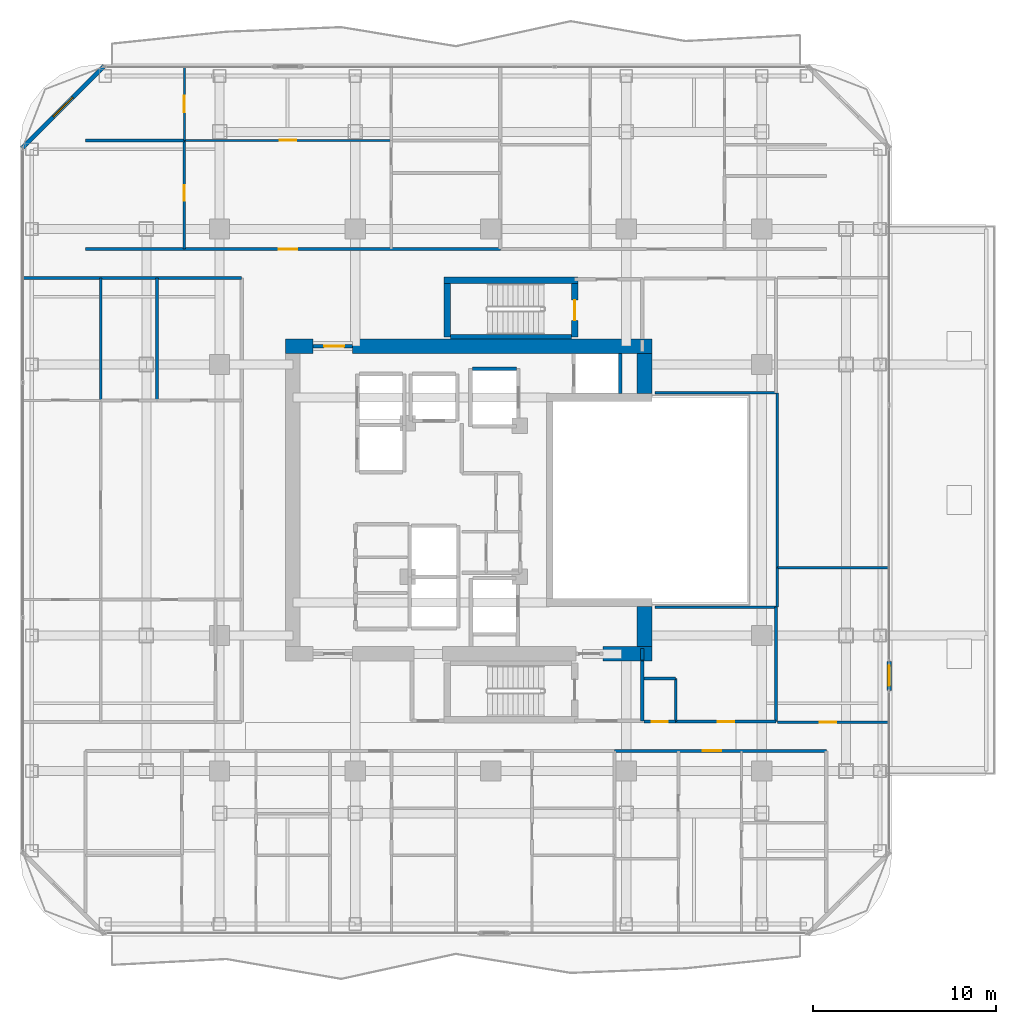
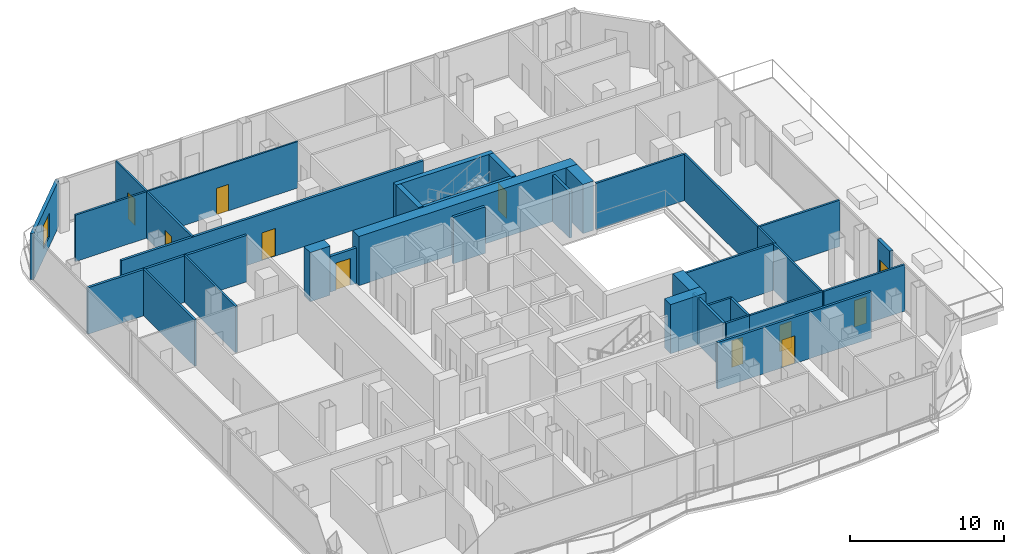
# One storey, part 22 of 27: 36 walls, 11 doors, 1 window, 12 openings.
"""IFC4 building model written with IfcOpenShell, lengths in metres."""

import ifcopenshell
import ifcopenshell.guid

model = None  # the IFC model being written
_history = None  # IfcOwnerHistory: only IFC2X3 demands one
_inside = {}  # id of a spatial element -> (the spatial element, [elements in it])
_under = {}  # id of a project, library or spatial element -> (it, [spatial elements below it])
_declared = {}  # id of a project -> (the project, [libraries it declares])
_typed = {}  # id of a type object -> (the type object, [elements of that type])
_made_of = {}  # id of a material, layer set ... -> (it, [elements and type objects made of it])


def new_model(schema):
    """Start an empty IFC model of exactly this schema.

    Asked for "IFC4X3", IfcOpenShell would pick the latest addendum, in which some entities
    have other attributes; the version numbers below select the first issue.
    IFC2X3 requires an IfcOwnerHistory on every rooted entity: one is made here for all.
    """
    global model, _history
    if schema == "IFC4X3":
        model = ifcopenshell.file(schema_version=(4, 3, 0, 0))
    else:
        model = ifcopenshell.file(schema=schema)
    _inside.clear()
    _under.clear()
    _declared.clear()
    _typed.clear()
    _made_of.clear()
    _history = None
    if model.schema == "IFC2X3":
        org = make("IfcOrganization", Name="unknown")
        user = make(
            "IfcPersonAndOrganization",
            ThePerson=make("IfcPerson", FamilyName="unknown"),
            TheOrganization=org,
        )
        app = make(
            "IfcApplication",
            ApplicationDeveloper=org,
            Version="unknown",
            ApplicationFullName="unknown",
            ApplicationIdentifier="unknown",
        )
        _history = make(
            "IfcOwnerHistory",
            OwningUser=user,
            OwningApplication=app,
            ChangeAction="ADDED",
            CreationDate=0,
        )
    return model


def make(cls, **values):
    """One entity of the class cls with the attributes given. An attribute that is None is left unset."""
    return model.create_entity(
        cls, **{name: value for name, value in values.items() if value is not None}
    )


def rooted(cls, **values):
    """An entity with a GlobalId (a new one), such as an element, a storey or a relation."""
    return make(cls, GlobalId=ifcopenshell.guid.new(), OwnerHistory=_history, **values)


def si_unit(unit_type, name, prefix=None):
    """IfcSIUnit, for example si_unit("LENGTHUNIT", "METRE", prefix="MILLI")."""
    return make("IfcSIUnit", UnitType=unit_type, Prefix=prefix, Name=name)


def assignment(units):
    """IfcUnitAssignment: the units of a project."""
    return None if units is None else make("IfcUnitAssignment", Units=units)


def point(xyz):
    """IfcCartesianPoint."""
    return None if xyz is None else make("IfcCartesianPoint", Coordinates=xyz)


def direction(xyz):
    """IfcDirection."""
    return None if xyz is None else make("IfcDirection", DirectionRatios=xyz)


def frame(location, z_axis=None, x_axis=None):
    """IfcAxis2Placement3D, a coordinate frame: its origin and axes. An axis left out is left unset."""
    return make(
        "IfcAxis2Placement3D",
        Location=point(location),
        Axis=direction(z_axis),
        RefDirection=direction(x_axis),
    )


def frame_2d(location, x_axis=None):
    """IfcAxis2Placement2D, a coordinate frame in the plane: its origin and x axis."""
    return make(
        "IfcAxis2Placement2D", Location=point(location), RefDirection=direction(x_axis)
    )


def origin():
    """The frame at (0, 0, 0) with its axes left unset."""
    return frame((0.0, 0.0, 0.0))


def place(relative_to, where):
    """IfcLocalPlacement: puts the frame where relative to a parent placement (None: the world)."""
    return make(
        "IfcLocalPlacement", PlacementRelTo=relative_to, RelativePlacement=where
    )


def context(
    kind, dimensions, precision=None, world=None, true_north=None, identifier=None
):
    """IfcGeometricRepresentationContext, for example the 3D "Model" context."""
    return make(
        "IfcGeometricRepresentationContext",
        ContextIdentifier=identifier,
        ContextType=kind,
        CoordinateSpaceDimension=dimensions,
        Precision=precision,
        WorldCoordinateSystem=world,
        TrueNorth=true_north,
    )


def subcontext(parent, identifier, kind, view, scale=None):
    """IfcGeometricRepresentationSubContext, for example "Body" below "Model"."""
    return make(
        "IfcGeometricRepresentationSubContext",
        ContextIdentifier=identifier,
        ContextType=kind,
        ParentContext=parent,
        TargetScale=scale,
        TargetView=view,
    )


def project(units=None, contexts=None):
    """IfcProject with its units and contexts."""
    return rooted(
        "IfcProject",
        Name="project",
        RepresentationContexts=contexts,
        UnitsInContext=assignment(units),
    )


def spatial(cls, under=None, at=None, **own):
    """A site, building, storey or space (cls), placed at a placement, below another one or the project."""
    s = rooted(cls, ObjectPlacement=at, **own)
    if under is not None:
        _under.setdefault(under.id(), (under, []))[1].append(s)
    return s


def profile(cls, at=None, kind="AREA", **sizes):
    """A parametric profile (cls). Its sizes go by their IFC names, for example OverallWidth=200.0."""
    return make(cls, ProfileType=kind, Position=at, **sizes)


def rectangle(**sizes):
    """IfcRectangleProfileDef."""
    return profile("IfcRectangleProfileDef", **sizes)


def extrude(swept, where, along, depth):
    """IfcExtrudedAreaSolid: the profile swept, set in the frame where, extruded along a direction by depth."""
    return make(
        "IfcExtrudedAreaSolid",
        SweptArea=swept,
        Position=where,
        ExtrudedDirection=direction(along),
        Depth=depth,
    )


def shape(context_of_items, identifier, shape_type, items):
    """IfcShapeRepresentation: the items that make up one representation, for example the "Body"."""
    return make(
        "IfcShapeRepresentation",
        ContextOfItems=context_of_items,
        RepresentationIdentifier=identifier,
        RepresentationType=shape_type,
        Items=items,
    )


def material(Name=None, Category=None):
    """IfcMaterial."""
    return make("IfcMaterial", Name=Name, Category=Category)


def layer(
    of_material, thickness, ventilated=None, Name=None, Category=None, Priority=None
):
    """IfcMaterialLayer: one layer of a wall or slab, of a material (None: an air gap)."""
    return make(
        "IfcMaterialLayer",
        Material=of_material,
        LayerThickness=thickness,
        IsVentilated=ventilated,
        Name=Name,
        Category=Category,
        Priority=Priority,
    )


def layer_set(layers, Name=None):
    """IfcMaterialLayerSet."""
    return make("IfcMaterialLayerSet", MaterialLayers=layers, LayerSetName=Name)


def made_of(thing, what):
    """Note that an element or type object is made of a material, layer set ...; save() writes the relation."""
    if what is not None:
        _made_of.setdefault(what.id(), (what, []))[1].append(thing)
    return thing


def type_object(cls, material=None, **own):
    """A type object (cls), such as IfcWallType, which elements share."""
    return made_of(rooted(cls, **own), material)


def element(
    cls,
    number,
    at=None,
    inside=None,
    cuts=None,
    type_object=None,
    material=None,
    context=None,
    identifier="Body",
    shape_type=None,
    held_by="IfcProductDefinitionShape",
    body=None,
    shapes=None,
    **own,
):
    """One element of the class cls, such as IfcWall. Its Tag is "e" and its number.

    at: its placement. inside: the storey or other place that contains it. cuts: it is an
    opening in that element (IfcRelVoidsElement). A single representation is given by context,
    identifier, shape_type and body (its items); several are given by shapes. held_by: the class
    of the entity that holds the representations. save() writes the other relations.
    """
    e = rooted(cls, Tag="e%d" % number, ObjectPlacement=at, **own)
    if body is not None:
        shapes = [shape(context, identifier, shape_type, body)]
    if shapes is not None:
        e.Representation = make(held_by, Representations=shapes)
    if inside is not None:
        _inside.setdefault(inside.id(), (inside, []))[1].append(e)
    if cuts is not None:
        rooted(
            "IfcRelVoidsElement", RelatingBuildingElement=cuts, RelatedOpeningElement=e
        )
    if type_object is not None:
        _typed.setdefault(type_object.id(), (type_object, []))[1].append(e)
    return made_of(e, material)


def fill(opening, filler):
    """IfcRelFillsElement: the door or window that sits in an opening."""
    return rooted(
        "IfcRelFillsElement",
        RelatingOpeningElement=opening,
        RelatedBuildingElement=filler,
    )


def aggregate(whole, parts):
    """IfcRelAggregates: a whole, such as a stair, and the parts it consists of."""
    return rooted("IfcRelAggregates", RelatingObject=whole, RelatedObjects=parts)


def save(model, path):
    """Write the relations noted so far, then the file.

    IfcRelAggregates (storeys below a building ...), IfcRelContainedInSpatialStructure (elements
    in a storey), IfcRelDefinesByType, IfcRelAssociatesMaterial and IfcRelDeclares: one each for
    every whole, place, type object, material and project.
    """
    for whole, parts in _under.values():
        aggregate(whole, parts)
    for where, things in _inside.values():
        rooted(
            "IfcRelContainedInSpatialStructure",
            RelatedElements=things,
            RelatingStructure=where,
        )
    for kind, things in _typed.values():
        rooted("IfcRelDefinesByType", RelatedObjects=things, RelatingType=kind)
    for what, things in _made_of.values():
        rooted("IfcRelAssociatesMaterial", RelatedObjects=things, RelatingMaterial=what)
    for by, libraries in _declared.values():
        rooted("IfcRelDeclares", RelatingContext=by, RelatedDefinitions=libraries)
    model.write(path)


model = new_model("IFC4")

# Units and contexts
model_context = context("Model", 3, precision=1e-05, world=origin(), true_north=direction((0.0, 1.0)))
body_context = subcontext(model_context, "Body", "Model", "MODEL_VIEW")
ifc_project = project(units=[si_unit("LENGTHUNIT", "METRE"), si_unit("AREAUNIT", "SQUARE_METRE"), si_unit("VOLUMEUNIT", "CUBIC_METRE"), si_unit("PLANEANGLEUNIT", "RADIAN"), si_unit("MASSUNIT", "GRAM", prefix="KILO")], contexts=[model_context])

# Site, building, storey
site_placement = place(None, origin())
site = spatial("IfcSite", under=ifc_project, at=site_placement, CompositionType="ELEMENT")
building_placement = place(site_placement, origin())
building = spatial("IfcBuilding", under=site, at=building_placement, Name="Khorvyn Point Tower", CompositionType="ELEMENT")
storey_placement = place(building_placement, frame((0.0, 0.0, 168.0)))
storey = spatial("IfcBuildingStorey", under=building, at=storey_placement, Name="L41", CompositionType="ELEMENT", Elevation=168.0)

# Wall, opening, door
ifc_material_1 = material(Name="Double acoustic gypsum on twin steel stud", Category="steel")
ifc_layer_1 = layer(ifc_material_1, 0.179931640625)
ifc_layer_set_1 = layer_set([ifc_layer_1], Name="Acoustic Double-Stud Apartment Demising Wall 180")
wall_type_1 = type_object("IfcWallType", Name="Acoustic Double-Stud Apartment Demising Wall 180", PredefinedType="PARTITIONING", material=ifc_layer_set_1)
wall_1_placement = place(storey_placement, frame((-22.1201171875, 13.699951171875, 0.0), z_axis=(0.0, 0.0, 1.0), x_axis=(1.0, 0.0, 0.0)))
wall_1 = element("IfcWall", 1, at=wall_1_placement, inside=storey, type_object=wall_type_1, Name="Wall", PredefinedType="PARTITIONING", context=body_context, shape_type="SweptSolid", body=[
    extrude(rectangle(XDim=22.64599609375, YDim=0.179931640625, at=frame_2d((11.322998046875, 0.0))), origin(), (0.0, 0.0, 1.0), 3.679931640625),
])
opening_1_placement = place(wall_1_placement, frame((10.55419921875, 0.0, 0.0)))
opening_1 = element("IfcOpeningElement", 2, at=opening_1_placement, cuts=wall_1, Name="Opening ID-AP60", PredefinedType="OPENING", context=body_context, shape_type="SweptSolid", body=[
    extrude(rectangle(XDim=1.0, YDim=2.199951171875, at=frame_2d((0.5, 1.10009765625))), frame((0.0, 0.099853515625, 0.0), z_axis=(0.0, -1.0, 0.0), x_axis=(1.0, 0.0, 0.0)), (0.0, 0.0, 1.0), 0.199951171875),
])
ifc_material_2 = material(Name="Engineered hardwood fire-rated leaf", Category="wood")
door_type_1 = type_object("IfcDoorType", Name="Acoustic Solid-Core Timber Apartment Entrance Door 1000x2200", OperationType="NOTDEFINED", PredefinedType="DOOR", material=ifc_material_2)
door_1_placement = place(opening_1_placement, origin())
door_1 = element("IfcDoor", 3, at=door_1_placement, inside=storey, type_object=door_type_1, Name="Door", OperationType="SINGLE_SWING_LEFT", OverallHeight=2.199951171875, OverallWidth=1.0, PredefinedType="DOOR", context=body_context, shape_type="SweptSolid", body=[
    extrude(rectangle(XDim=1.0, YDim=2.199951171875, at=frame_2d((0.5, 1.10009765625))), frame((0.0, 0.02490234375, 0.0), z_axis=(0.0, -1.0, 0.0), x_axis=(1.0, 0.0, 0.0)), (0.0, 0.0, 1.0), 0.050048828125),
])
fill(opening_1, door_1)

wall_2_placement = place(storey_placement, frame((6.75390625, -13.699951171875, 0.0), z_axis=(0.0, 0.0, 1.0), x_axis=(1.0, 0.0, 0.0)))
wall_2 = element("IfcWall", 4, at=wall_2_placement, inside=storey, type_object=wall_type_1, Name="Wall", PredefinedType="PARTITIONING", context=body_context, shape_type="SweptSolid", body=[
    extrude(rectangle(XDim=11.566162109375, YDim=0.179931640625, at=frame_2d((5.783203125, 0.0))), origin(), (0.0, 0.0, 1.0), 3.679931640625),
])
opening_2_placement = place(wall_2_placement, frame((4.83349609375, 0.0, 0.0)))
opening_2 = element("IfcOpeningElement", 5, at=opening_2_placement, cuts=wall_2, Name="Opening ID-AP60", PredefinedType="OPENING", context=body_context, shape_type="SweptSolid", body=[
    extrude(rectangle(XDim=1.0, YDim=2.199951171875, at=frame_2d((0.5, 1.10009765625))), frame((0.0, 0.099853515625, 0.0), z_axis=(0.0, -1.0, 0.0), x_axis=(1.0, 0.0, 0.0)), (0.0, 0.0, 1.0), 0.199951171875),
])
door_2_placement = place(opening_2_placement, origin())
door_2 = element("IfcDoor", 6, at=door_2_placement, inside=storey, type_object=door_type_1, Name="Door", OperationType="SINGLE_SWING_RIGHT", OverallHeight=2.199951171875, OverallWidth=1.0, PredefinedType="DOOR", context=body_context, shape_type="SweptSolid", body=[
    extrude(rectangle(XDim=1.0, YDim=2.199951171875, at=frame_2d((0.5, 1.10009765625))), frame((0.0, 0.02490234375, 0.0), z_axis=(0.0, -1.0, 0.0), x_axis=(1.0, 0.0, 0.0)), (0.0, 0.0, 1.0), 0.050048828125),
])
fill(opening_2, door_2)

# Wall
wall_3_placement = place(storey_placement, frame((-25.530029296875, 12.1201171875, 0.0), z_axis=(0.0, 0.0, 1.0), x_axis=(1.0, 0.0, 0.0)))
element("IfcWall", 7, at=wall_3_placement, inside=storey, type_object=wall_type_1, Name="Wall", PredefinedType="PARTITIONING", context=body_context, shape_type="SweptSolid", body=[
    extrude(rectangle(XDim=11.929931640625, YDim=0.179931640625, at=frame_2d((5.96484375, 0.0))), origin(), (0.0, 0.0, 1.0), 3.679931640625),
])

# Wall, opening, door
ifc_material_3 = material(Name="Pale anodised aluminium rainscreen on steel stud", Category="steel")
ifc_layer_2 = layer(ifc_material_3, 0.239990234375)
ifc_layer_set_2 = layer_set([ifc_layer_2], Name="Anodised Aluminium Insulated Corner Spandrel Wall 240")
wall_type_2 = type_object("IfcWallType", Name="Anodised Aluminium Insulated Corner Spandrel Wall 240", PredefinedType="SOLIDWALL", material=ifc_layer_set_2)
wall_4_placement = place(storey_placement, frame((21.75, -8.81494140625, 0.0), z_axis=(0.0, 0.0, 1.0), x_axis=(0.0, -1.0, 0.0)))
wall_4 = element("IfcWall", 8, at=wall_4_placement, inside=storey, type_object=wall_type_2, Name="L41 East Outdoor Threshold Wall", PredefinedType="SOLIDWALL", context=body_context, shape_type="SweptSolid", body=[
    extrude(rectangle(XDim=1.580078125, YDim=0.239990234375, at=frame_2d((0.7900390625, 0.0))), origin(), (0.0, 0.0, 1.0), 3.679931640625),
])
opening_3_placement = place(wall_4_placement, frame((0.239990234375, 0.0, 0.0)))
opening_3 = element("IfcOpeningElement", 9, at=opening_3_placement, cuts=wall_4, Name="Opening BD-1122", PredefinedType="OPENING", context=body_context, shape_type="SweptSolid", body=[
    extrude(rectangle(XDim=1.10009765625, YDim=2.199951171875, at=frame_2d((0.550048828125, 1.10009765625))), frame((0.0, 0.1298828125, 0.0), z_axis=(0.0, -1.0, 0.0), x_axis=(1.0, 0.0, 0.0)), (0.0, 0.0, 1.0), 0.260009765625),
])
ifc_material_4 = material(Name="Anodised aluminium 6063-T6 and laminated Low-E glass", Category="aluminium")
door_type_2 = type_object("IfcDoorType", Name="Glazed Balcony and Terrace Threshold Door 1100x2200", OperationType="NOTDEFINED", PredefinedType="DOOR", material=ifc_material_4)
door_3_placement = place(opening_3_placement, origin())
door_3 = element("IfcDoor", 10, at=door_3_placement, inside=storey, type_object=door_type_2, Name="L41 East Terrace Outdoor Door", OperationType="SINGLE_SWING_RIGHT", OverallHeight=2.199951171875, OverallWidth=1.10009765625, PredefinedType="DOOR", context=body_context, shape_type="SweptSolid", body=[
    extrude(rectangle(XDim=1.10009765625, YDim=2.199951171875, at=frame_2d((0.550048828125, 1.10009765625))), frame((0.0, 0.02490234375, 0.0), z_axis=(0.0, -1.0, 0.0), x_axis=(1.0, 0.0, 0.0)), (0.0, 0.0, 1.0), 0.050048828125),
])
fill(opening_3, door_3)

# Wall, opening, window
wall_5_placement = place(storey_placement, frame((-25.59228515625, 19.20751953125, 0.0), z_axis=(0.0, 0.0, 1.0), x_axis=(0.707087534163, 0.707126027686, 0.0)))
wall_5 = element("IfcWall", 11, at=wall_5_placement, inside=storey, type_object=wall_type_2, Name="L41 Rounded Corner Wall NW", PredefinedType="SOLIDWALL", context=body_context, shape_type="SweptSolid", body=[
    extrude(rectangle(XDim=6.34228515625, YDim=0.239990234375, at=frame_2d((3.171142578125, 0.0))), origin(), (0.0, 0.0, 1.0), 3.679931640625),
])
opening_4_placement = place(wall_5_placement, frame((2.42138671875, 0.0, 0.800048828125)))
opening_4 = element("IfcOpeningElement", 12, at=opening_4_placement, cuts=wall_5, Name="Opening WN-1518", PredefinedType="OPENING", context=body_context, shape_type="SweptSolid", body=[
    extrude(rectangle(XDim=1.5, YDim=1.85009765625, at=frame_2d((0.75, 0.925048828125))), frame((0.0, 0.1298828125, 0.0), z_axis=(0.0, -1.0, 0.0), x_axis=(1.0, 0.0, 0.0)), (0.0, 0.0, 1.0), 0.260009765625),
])
window_type = type_object("IfcWindowType", Name="Anodised Aluminium Rounded-Corner Panoramic Window 1500x1850", PartitioningType="SINGLE_PANEL", PredefinedType="WINDOW", material=ifc_material_4)
window_placement = place(opening_4_placement, origin())
window = element("IfcWindow", 13, at=window_placement, inside=storey, type_object=window_type, Name="L41 Corner Panoramic Window NW", OverallHeight=1.85009765625, OverallWidth=1.5, PartitioningType="SINGLE_PANEL", PredefinedType="WINDOW", context=body_context, shape_type="SweptSolid", body=[
    extrude(rectangle(XDim=1.5, YDim=1.85009765625, at=frame_2d((0.75, 0.925048828125))), frame((0.0, 0.030029296875, 0.0), z_axis=(0.0, -1.0, 0.0), x_axis=(1.0, 0.0, 0.0)), (0.0, 0.0, 1.0), 0.06005859375),
])
fill(opening_4, window)

# Wall, opening, door
ifc_material_5 = material(Name="Concrete C40/50", Category="concrete")
ifc_layer_3 = layer(ifc_material_5, 0.199951171875)
ifc_layer_set_3 = layer_set([ifc_layer_3], Name="Concrete C40/50 Fire-Lobby Compartment Wall 200")
wall_type_3 = type_object("IfcWallType", Name="Concrete C40/50 Fire-Lobby Compartment Wall 200", PredefinedType="SOLIDWALL", material=ifc_layer_set_3)
wall_6_placement = place(storey_placement, frame((-9.699951171875, 8.39990234375, 0.0), z_axis=(0.0, 0.0, 1.0), x_axis=(1.0, 0.0, 0.0)))
wall_6 = element("IfcWall", 14, at=wall_6_placement, inside=storey, type_object=wall_type_3, Name="Wall", PredefinedType="SOLIDWALL", context=body_context, shape_type="SweptSolid", body=[
    extrude(rectangle(XDim=2.14990234375, YDim=0.199951171875, at=frame_2d((1.074951171875, 0.0))), origin(), (0.0, 0.0, 1.0), 2.820068359375),
])
opening_5_placement = place(wall_6_placement, frame((0.597900390625, 0.0, 0.0)))
opening_5 = element("IfcOpeningElement", 15, at=opening_5_placement, cuts=wall_6, Name="Opening ID-FL90", PredefinedType="OPENING", context=body_context, shape_type="SweptSolid", body=[
    extrude(rectangle(XDim=1.10009765625, YDim=2.14990234375, at=frame_2d((0.550048828125, 1.074951171875))), frame((0.0, 0.10986328125, 0.0), z_axis=(0.0, -1.0, 0.0), x_axis=(1.0, 0.0, 0.0)), (0.0, 0.0, 1.0), 0.219970703125),
])
ifc_material_6 = material(Name="Galvanised powder-coated steel", Category="steel")
door_type_3 = type_object("IfcDoorType", Name="Fire-Rated Steel Lobby and Stair Door 1100x2150", OperationType="NOTDEFINED", PredefinedType="DOOR", material=ifc_material_6)
door_4_placement = place(opening_5_placement, origin())
door_4 = element("IfcDoor", 16, at=door_4_placement, inside=storey, type_object=door_type_3, Name="Door", OperationType="SINGLE_SWING_LEFT", OverallHeight=2.14990234375, OverallWidth=1.10009765625, PredefinedType="DOOR", context=body_context, shape_type="SweptSolid", body=[
    extrude(rectangle(XDim=1.10009765625, YDim=2.14990234375, at=frame_2d((0.550048828125, 1.074951171875))), frame((0.0, 0.02490234375, 0.0), z_axis=(0.0, -1.0, 0.0), x_axis=(1.0, 0.0, 0.0)), (0.0, 0.0, 1.0), 0.050048828125),
])
fill(opening_5, door_4)

# Walls
wall_7_placement = place(storey_placement, frame((8.280029296875, -12.06005859375, 0.0), z_axis=(0.0, 0.0, 1.0), x_axis=(0.0, 1.0, 0.0)))
element("IfcWall", 17, at=wall_7_placement, inside=storey, type_object=wall_type_3, Name="Wall", PredefinedType="SOLIDWALL", context=body_context, shape_type="SweptSolid", body=[
    extrude(rectangle(XDim=3.260009765625, YDim=0.199951171875, at=frame_2d((1.6298828125, 0.0))), origin(), (0.0, 0.0, 1.0), 3.679931640625),
])
wall_8_placement = place(storey_placement, frame((8.280029296875, -8.72509765625, 0.0), z_axis=(0.0, 0.0, 1.0), x_axis=(0.0, 1.0, 0.0)))
element("IfcWall", 18, at=wall_8_placement, inside=storey, type_object=wall_type_3, Name="Wall", PredefinedType="SOLIDWALL", context=body_context, shape_type="SweptSolid", body=[
    extrude(rectangle(XDim=0.625, YDim=0.199951171875, at=frame_2d((0.3125, 0.0))), origin(), (0.0, 0.0, 1.0), 3.679931640625),
])
ifc_layer_4 = layer(ifc_material_5, 0.25)
ifc_layer_set_4 = layer_set([ifc_layer_4], Name="Concrete C40/50 Stair Inner Cheek Structural Wall 250")
wall_type_4 = type_object("IfcWallType", Name="Concrete C40/50 Stair Inner Cheek Structural Wall 250", PredefinedType="SHEAR", material=ifc_layer_set_4)
wall_9_placement = place(storey_placement, frame((-2.199951171875, 8.91259765625, 0.0), z_axis=(0.0, 0.0, 1.0), x_axis=(1.0, 0.0, 0.0)))
element("IfcWall", 19, at=wall_9_placement, inside=storey, type_object=wall_type_4, Name="Wall", PredefinedType="SHEAR", context=body_context, shape_type="SweptSolid", body=[
    extrude(rectangle(XDim=6.599853515625, YDim=0.22509765625, at=frame_2d((3.2998046875, 0.0))), origin(), (0.0, 0.0, 1.0), 3.89990234375),
])
ifc_layer_5 = layer(ifc_material_5, 0.35009765625)
ifc_layer_set_5 = layer_set([ifc_layer_5], Name="Concrete C40/50 Stair Shaft Structural Wall 350")
wall_type_5 = type_object("IfcWallType", Name="Concrete C40/50 Stair Shaft Structural Wall 350", PredefinedType="SHEAR", material=ifc_layer_set_5)
wall_10_placement = place(storey_placement, frame((-2.554931640625, 12.0, 0.0), z_axis=(0.0, 0.0, 1.0), x_axis=(1.0, 0.0, 0.0)))
element("IfcWall", 20, at=wall_10_placement, inside=storey, type_object=wall_type_5, Name="L41 ST-02 North Shaft Wall", PredefinedType="SHEAR", context=body_context, shape_type="SweptSolid", body=[
    extrude(rectangle(XDim=7.309814453125, YDim=0.35009765625, at=frame_2d((3.65478515625, 0.0))), origin(), (0.0, 0.0, 1.0), 3.89990234375),
])
wall_11_placement = place(storey_placement, frame((-2.3798828125, 8.89990234375, 0.0), z_axis=(0.0, 0.0, 1.0), x_axis=(0.0, 1.0, 0.0)))
element("IfcWall", 21, at=wall_11_placement, inside=storey, type_object=wall_type_5, Name="L41 ST-02 West Shaft Wall", PredefinedType="SHEAR", context=body_context, shape_type="SweptSolid", body=[
    extrude(rectangle(XDim=2.925048828125, YDim=0.35009765625, at=frame_2d((1.46240234375, 0.0))), origin(), (0.0, 0.0, 1.0), 3.89990234375),
])

# Wall, opening, door
wall_12_placement = place(storey_placement, frame((4.580078125, 11.824951171875, 0.0), z_axis=(0.0, 0.0, 1.0), x_axis=(0.0, -1.0, 0.0)))
wall_12 = element("IfcWall", 22, at=wall_12_placement, inside=storey, type_object=wall_type_5, Name="L41 ST-02 East Landing Door Wall", PredefinedType="SHEAR", context=body_context, shape_type="SweptSolid", body=[
    extrude(rectangle(XDim=2.925048828125, YDim=0.35009765625, at=frame_2d((1.46240234375, 0.0))), origin(), (0.0, 0.0, 1.0), 3.89990234375),
])
opening_6_placement = place(wall_12_placement, frame((0.91259765625, 0.0, 0.0)))
opening_6 = element("IfcOpeningElement", 23, at=opening_6_placement, cuts=wall_12, Name="Opening ID-FL90", PredefinedType="OPENING", context=body_context, shape_type="SweptSolid", body=[
    extrude(rectangle(XDim=1.10009765625, YDim=2.14990234375, at=frame_2d((0.550048828125, 1.074951171875))), frame((0.0, 0.18505859375, 0.0), z_axis=(0.0, -1.0, 0.0), x_axis=(1.0, 0.0, 0.0)), (0.0, 0.0, 1.0), 0.3701171875),
])
door_5_placement = place(opening_6_placement, origin())
door_5 = element("IfcDoor", 24, at=door_5_placement, inside=storey, type_object=door_type_3, Name="L41 ST-02 Smokeproof Landing Door", OperationType="SINGLE_SWING_RIGHT", OverallHeight=2.14990234375, OverallWidth=1.10009765625, PredefinedType="DOOR", context=body_context, shape_type="SweptSolid", body=[
    extrude(rectangle(XDim=1.10009765625, YDim=2.14990234375, at=frame_2d((0.550048828125, 1.074951171875))), frame((0.0, 0.02490234375, 0.0), z_axis=(0.0, -1.0, 0.0), x_axis=(1.0, 0.0, 0.0)), (0.0, 0.0, 1.0), 0.050048828125),
])
fill(opening_6, door_5)

# Walls
ifc_layer_6 = layer(ifc_material_5, 0.199951171875)
ifc_layer_set_6 = layer_set([ifc_layer_6], Name="Concrete C40/50 Structural Hoistway and Stair Shaft Wall 200")
wall_type_6 = type_object("IfcWallType", Name="Concrete C40/50 Structural Hoistway and Stair Shaft Wall 200", PredefinedType="SHEAR", material=ifc_layer_set_6)
wall_13_placement = place(storey_placement, frame((-1.0, 7.175048828125, 0.0), z_axis=(0.0, 0.0, 1.0), x_axis=(1.0, 0.0, 0.0)))
element("IfcWall", 25, at=wall_13_placement, inside=storey, type_object=wall_type_6, Name="Wall", PredefinedType="SHEAR", context=body_context, shape_type="SweptSolid", body=[
    extrude(rectangle(XDim=2.39990234375, YDim=0.199951171875, at=frame_2d((1.199951171875, 0.0))), origin(), (0.0, 0.0, 1.0), 3.679931640625),
])
wall_14_placement = place(storey_placement, frame((7.074951171875, 5.824951171875, 0.0), z_axis=(0.0, 0.0, 1.0), x_axis=(0.0, 1.0, 0.0)))
element("IfcWall", 26, at=wall_14_placement, inside=storey, type_object=wall_type_6, Name="Wall", PredefinedType="SHEAR", context=body_context, shape_type="SweptSolid", body=[
    extrude(rectangle(XDim=2.175048828125, YDim=0.199951171875, at=frame_2d((1.08740234375, 0.0))), origin(), (0.0, 0.0, 1.0), 3.679931640625),
])
ifc_material_7 = material(Name="Concrete C45/55", Category="concrete")
ifc_layer_7 = layer(ifc_material_7, 0.800048828125)
ifc_layer_set_7 = layer_set([ifc_layer_7], Name="Concrete C45/55 Core Shear Wall 800")
wall_type_7 = type_object("IfcWallType", Name="Concrete C45/55 Core Shear Wall 800", PredefinedType="SHEAR", material=ifc_layer_set_7)
wall_15_placement = place(storey_placement, frame((6.1201171875, -8.39990234375, 0.0), z_axis=(0.0, 0.0, 1.0), x_axis=(1.0, 0.0, 0.0)))
element("IfcWall", 27, at=wall_15_placement, inside=storey, type_object=wall_type_7, Name="Wall", PredefinedType="SHEAR", context=body_context, shape_type="SweptSolid", body=[
    extrude(rectangle(XDim=2.679931640625, YDim=0.800048828125, at=frame_2d((1.33984375, 0.0))), origin(), (0.0, 0.0, 1.0), 3.89990234375),
])
wall_16_placement = place(storey_placement, frame((-11.199951171875, 8.39990234375, 0.0), z_axis=(0.0, 0.0, 1.0), x_axis=(1.0, 0.0, 0.0)))
element("IfcWall", 28, at=wall_16_placement, inside=storey, type_object=wall_type_7, Name="Wall", PredefinedType="SHEAR", context=body_context, shape_type="SweptSolid", body=[
    extrude(rectangle(XDim=1.5, YDim=0.800048828125, at=frame_2d((0.75, 0.0))), origin(), (0.0, 0.0, 1.0), 3.89990234375),
])
wall_17_placement = place(storey_placement, frame((-7.550048828125, 8.39990234375, 0.0), z_axis=(0.0, 0.0, 1.0), x_axis=(1.0, 0.0, 0.0)))
element("IfcWall", 29, at=wall_17_placement, inside=storey, type_object=wall_type_7, Name="Wall", PredefinedType="SHEAR", context=body_context, shape_type="SweptSolid", body=[
    extrude(rectangle(XDim=16.35009765625, YDim=0.800048828125, at=frame_2d((8.175048828125, 0.0))), origin(), (0.0, 0.0, 1.0), 3.89990234375),
])
for number, where, z_axis, x_axis, name in (
    (30, (8.39990234375, -8.0, 0.0), (0.0, 0.0, 1.0), (0.0, 1.0, 0.0), "Wall"),
    (31, (8.39990234375, 5.824951171875, 0.0), (0.0, 0.0, 1.0), (0.0, 1.0, 0.0), "Wall"),
):
    element("IfcWall", number, at=place(storey_placement, frame(where, z_axis=z_axis, x_axis=x_axis)), inside=storey, type_object=wall_type_7, Name=name, PredefinedType="SHEAR", context=body_context, shape_type="SweptSolid", body=[
        extrude(rectangle(XDim=2.175048828125, YDim=0.800048828125, at=frame_2d((1.08740234375, 0.0))), origin(), (0.0, 0.0, 1.0), 3.89990234375),
    ])

# Wall, opening, door
ifc_material_8 = material(Name="Gypsum plasterboard on steel stud", Category="steel")
ifc_layer_8 = layer(ifc_material_8, 0.1201171875)
ifc_layer_set_8 = layer_set([ifc_layer_8], Name="Gypsum Acoustic Stud Room Partition Wall 120")
wall_type_8 = type_object("IfcWallType", Name="Gypsum Acoustic Stud Room Partition Wall 120", PredefinedType="PARTITIONING", material=ifc_layer_set_8)
wall_18_placement = place(storey_placement, frame((-16.72607421875, 19.634033203125, 0.0), z_axis=(0.0, 0.0, 1.0), x_axis=(1.0, 0.0, 0.0)))
wall_18 = element("IfcWall", 32, at=wall_18_placement, inside=storey, type_object=wall_type_8, Name="Wall", PredefinedType="PARTITIONING", context=body_context, shape_type="SweptSolid", body=[
    extrude(rectangle(XDim=11.298095703125, YDim=0.1201171875, at=frame_2d((5.64892578125, 0.0))), origin(), (0.0, 0.0, 1.0), 3.679931640625),
])
opening_7_placement = place(wall_18_placement, frame((5.198974609375, 0.0, 0.0)))
opening_7 = element("IfcOpeningElement", 33, at=opening_7_placement, cuts=wall_18, Name="Opening ID-RM90", PredefinedType="OPENING", context=body_context, shape_type="SweptSolid", body=[
    extrude(rectangle(XDim=0.89990234375, YDim=2.10009765625, at=frame_2d((0.449951171875, 1.050048828125))), frame((0.0, 0.070068359375, 0.0), z_axis=(0.0, -1.0, 0.0), x_axis=(1.0, 0.0, 0.0)), (0.0, 0.0, 1.0), 0.14013671875),
])
ifc_material_9 = material(Name="Engineered oak veneer timber", Category="wood")
door_type_4 = type_object("IfcDoorType", Name="Flush Engineered Timber Room Door 900x2100", OperationType="NOTDEFINED", PredefinedType="DOOR", material=ifc_material_9)
door_6_placement = place(opening_7_placement, origin())
door_6 = element("IfcDoor", 34, at=door_6_placement, inside=storey, type_object=door_type_4, Name="Door", OperationType="SINGLE_SWING_RIGHT", OverallHeight=2.10009765625, OverallWidth=0.89990234375, PredefinedType="DOOR", context=body_context, shape_type="SweptSolid", body=[
    extrude(rectangle(XDim=0.89990234375, YDim=2.10009765625, at=frame_2d((0.449951171875, 1.050048828125))), frame((0.0, 0.02490234375, 0.0), z_axis=(0.0, -1.0, 0.0), x_axis=(1.0, 0.0, 0.0)), (0.0, 0.0, 1.0), 0.050048828125),
])
fill(opening_7, door_6)

wall_19_placement = place(storey_placement, frame((-16.72607421875, 19.634033203125, 0.0), z_axis=(0.0, 0.0, 1.0), x_axis=(0.0, 1.0, 0.0)))
wall_19 = element("IfcWall", 35, at=wall_19_placement, inside=storey, type_object=wall_type_8, Name="Wall", PredefinedType="PARTITIONING", context=body_context, shape_type="SweptSolid", body=[
    extrude(rectangle(XDim=3.995849609375, YDim=0.1201171875, at=frame_2d((1.998046875, 0.0))), origin(), (0.0, 0.0, 1.0), 3.679931640625),
])
opening_8_placement = place(wall_19_placement, frame((1.548095703125, 0.0, 0.0)))
opening_8 = element("IfcOpeningElement", 36, at=opening_8_placement, cuts=wall_19, Name="Opening ID-RM90", PredefinedType="OPENING", context=body_context, shape_type="SweptSolid", body=[
    extrude(rectangle(XDim=0.89990234375, YDim=2.10009765625, at=frame_2d((0.449951171875, 1.050048828125))), frame((0.0, 0.070068359375, 0.0), z_axis=(0.0, -1.0, 0.0), x_axis=(1.0, 0.0, 0.0)), (0.0, 0.0, 1.0), 0.14013671875),
])
door_7_placement = place(opening_8_placement, origin())
door_7 = element("IfcDoor", 37, at=door_7_placement, inside=storey, type_object=door_type_4, Name="Door", OperationType="SINGLE_SWING_RIGHT", OverallHeight=2.10009765625, OverallWidth=0.89990234375, PredefinedType="DOOR", context=body_context, shape_type="SweptSolid", body=[
    extrude(rectangle(XDim=0.89990234375, YDim=2.10009765625, at=frame_2d((0.449951171875, 1.050048828125))), frame((0.0, 0.02490234375, 0.0), z_axis=(0.0, -1.0, 0.0), x_axis=(1.0, 0.0, 0.0)), (0.0, 0.0, 1.0), 0.050048828125),
])
fill(opening_8, door_7)

ifc_material_10 = material(Name="Moisture-resistant gypsum and cement board", Category="gypsum")
ifc_layer_9 = layer(ifc_material_10, 0.14990234375)
ifc_layer_set_9 = layer_set([ifc_layer_9], Name="Moisture-Resistant Wet-Room Partition Wall 150")
wall_type_9 = type_object("IfcWallType", Name="Moisture-Resistant Wet-Room Partition Wall 150", PredefinedType="PARTITIONING", material=ifc_layer_set_9)
wall_20_placement = place(storey_placement, frame((8.360107421875, -12.10009765625, 0.0), z_axis=(0.0, 0.0, 1.0), x_axis=(1.0, 0.0, 0.0)))
wall_20 = element("IfcWall", 38, at=wall_20_placement, inside=storey, type_object=wall_type_9, Name="Wall", PredefinedType="PARTITIONING", context=body_context, shape_type="SweptSolid", body=[
    extrude(rectangle(XDim=1.739990234375, YDim=0.14990234375, at=frame_2d((0.8701171875, 0.0))), origin(), (0.0, 0.0, 1.0), 3.679931640625),
])
opening_9_placement = place(wall_20_placement, frame((0.445068359375, 0.0, 0.0)))
opening_9 = element("IfcOpeningElement", 39, at=opening_9_placement, cuts=wall_20, Name="Opening ID-WC85", PredefinedType="OPENING", context=body_context, shape_type="SweptSolid", body=[
    extrude(rectangle(XDim=0.85009765625, YDim=2.10009765625, at=frame_2d((0.425048828125, 1.050048828125))), frame((0.0, 0.0849609375, 0.0), z_axis=(0.0, -1.0, 0.0), x_axis=(1.0, 0.0, 0.0)), (0.0, 0.0, 1.0), 0.169921875),
])
ifc_material_11 = material(Name="High-pressure laminate on moisture-resistant core", Category="wood")
door_type_5 = type_object("IfcDoorType", Name="Moisture-Resistant Accessible Washroom Door 850x2100", OperationType="NOTDEFINED", PredefinedType="DOOR", material=ifc_material_11)
door_8_placement = place(opening_9_placement, origin())
door_8 = element("IfcDoor", 40, at=door_8_placement, inside=storey, type_object=door_type_5, Name="Door", OperationType="SINGLE_SWING_RIGHT", OverallHeight=2.10009765625, OverallWidth=0.85009765625, PredefinedType="DOOR", context=body_context, shape_type="SweptSolid", body=[
    extrude(rectangle(XDim=0.85009765625, YDim=2.10009765625, at=frame_2d((0.425048828125, 1.050048828125))), frame((0.0, 0.02490234375, 0.0), z_axis=(0.0, -1.0, 0.0), x_axis=(1.0, 0.0, 0.0)), (0.0, 0.0, 1.0), 0.050048828125),
])
fill(opening_9, door_8)

wall_21_placement = place(storey_placement, frame((10.10009765625, -12.10009765625, 0.0), z_axis=(0.0, 0.0, 1.0), x_axis=(1.0, 0.0, 0.0)))
wall_21 = element("IfcWall", 41, at=wall_21_placement, inside=storey, type_object=wall_type_9, Name="Wall", PredefinedType="PARTITIONING", context=body_context, shape_type="SweptSolid", body=[
    extrude(rectangle(XDim=5.47998046875, YDim=0.14990234375, at=frame_2d((2.739990234375, 0.0))), origin(), (0.0, 0.0, 1.0), 3.679931640625),
])
opening_10_placement = place(wall_21_placement, frame((2.2900390625, 0.0, 0.0)))
opening_10 = element("IfcOpeningElement", 42, at=opening_10_placement, cuts=wall_21, Name="Opening ID-RM90", PredefinedType="OPENING", context=body_context, shape_type="SweptSolid", body=[
    extrude(rectangle(XDim=0.89990234375, YDim=2.10009765625, at=frame_2d((0.449951171875, 1.050048828125))), frame((0.0, 0.0849609375, 0.0), z_axis=(0.0, -1.0, 0.0), x_axis=(1.0, 0.0, 0.0)), (0.0, 0.0, 1.0), 0.169921875),
])
door_9_placement = place(opening_10_placement, origin())
door_9 = element("IfcDoor", 43, at=door_9_placement, inside=storey, type_object=door_type_4, Name="Door", OperationType="SINGLE_SWING_LEFT", OverallHeight=2.10009765625, OverallWidth=0.89990234375, PredefinedType="DOOR", context=body_context, shape_type="SweptSolid", body=[
    extrude(rectangle(XDim=0.89990234375, YDim=2.10009765625, at=frame_2d((0.449951171875, 1.050048828125))), frame((0.0, 0.02490234375, 0.0), z_axis=(0.0, -1.0, 0.0), x_axis=(1.0, 0.0, 0.0)), (0.0, 0.0, 1.0), 0.050048828125),
])
fill(opening_10, door_9)

wall_22_placement = place(storey_placement, frame((-16.72607421875, 13.699951171875, 0.0), z_axis=(0.0, 0.0, 1.0), x_axis=(0.0, 1.0, 0.0)))
wall_22 = element("IfcWall", 44, at=wall_22_placement, inside=storey, type_object=wall_type_9, Name="Wall", PredefinedType="PARTITIONING", context=body_context, shape_type="SweptSolid", body=[
    extrude(rectangle(XDim=5.93408203125, YDim=0.14990234375, at=frame_2d((2.967041015625, 0.0))), origin(), (0.0, 0.0, 1.0), 3.679931640625),
])
opening_11_placement = place(wall_22_placement, frame((2.630126953125, 0.0, 0.0)))
opening_11 = element("IfcOpeningElement", 45, at=opening_11_placement, cuts=wall_22, Name="Opening ID-WC85", PredefinedType="OPENING", context=body_context, shape_type="SweptSolid", body=[
    extrude(rectangle(XDim=0.85009765625, YDim=2.10009765625, at=frame_2d((0.425048828125, 1.050048828125))), frame((0.0, 0.0849609375, 0.0), z_axis=(0.0, -1.0, 0.0), x_axis=(1.0, 0.0, 0.0)), (0.0, 0.0, 1.0), 0.169921875),
])
door_10_placement = place(opening_11_placement, origin())
door_10 = element("IfcDoor", 46, at=door_10_placement, inside=storey, type_object=door_type_5, Name="Door", OperationType="SINGLE_SWING_LEFT", OverallHeight=2.10009765625, OverallWidth=0.85009765625, PredefinedType="DOOR", context=body_context, shape_type="SweptSolid", body=[
    extrude(rectangle(XDim=0.85009765625, YDim=2.10009765625, at=frame_2d((0.425048828125, 1.050048828125))), frame((0.0, 0.02490234375, 0.0), z_axis=(0.0, -1.0, 0.0), x_axis=(1.0, 0.0, 0.0)), (0.0, 0.0, 1.0), 0.050048828125),
])
fill(opening_11, door_10)

wall_23_placement = place(storey_placement, frame((15.64990234375, -12.139892578125, 0.0), z_axis=(0.0, 0.0, 1.0), x_axis=(1.0, 0.0, 0.0)))
wall_23 = element("IfcWall", 47, at=wall_23_placement, inside=storey, type_object=wall_type_9, Name="Wall", PredefinedType="PARTITIONING", context=body_context, shape_type="SweptSolid", body=[
    extrude(rectangle(XDim=6.070068359375, YDim=0.14990234375, at=frame_2d((3.03515625, 0.0))), origin(), (0.0, 0.0, 1.0), 3.679931640625),
])
opening_12_placement = place(wall_23_placement, frame((2.315673828125, 0.0, 0.0)))
opening_12 = element("IfcOpeningElement", 48, at=opening_12_placement, cuts=wall_23, Name="Opening ID-RM90", PredefinedType="OPENING", context=body_context, shape_type="SweptSolid", body=[
    extrude(rectangle(XDim=0.89990234375, YDim=2.10009765625, at=frame_2d((0.449951171875, 1.050048828125))), frame((0.0, 0.0849609375, 0.0), z_axis=(0.0, -1.0, 0.0), x_axis=(1.0, 0.0, 0.0)), (0.0, 0.0, 1.0), 0.169921875),
])
door_11_placement = place(opening_12_placement, origin())
door_11 = element("IfcDoor", 49, at=door_11_placement, inside=storey, type_object=door_type_4, Name="Door", OperationType="SINGLE_SWING_RIGHT", OverallHeight=2.10009765625, OverallWidth=0.89990234375, PredefinedType="DOOR", context=body_context, shape_type="SweptSolid", body=[
    extrude(rectangle(XDim=0.89990234375, YDim=2.10009765625, at=frame_2d((0.449951171875, 1.050048828125))), frame((0.0, 0.02490234375, 0.0), z_axis=(0.0, -1.0, 0.0), x_axis=(1.0, 0.0, 0.0)), (0.0, 0.0, 1.0), 0.050048828125),
])
fill(opening_12, door_11)

# Walls
wall_24_placement = place(storey_placement, frame((8.360107421875, -9.75, 0.0), z_axis=(0.0, 0.0, 1.0), x_axis=(1.0, 0.0, 0.0)))
element("IfcWall", 50, at=wall_24_placement, inside=storey, type_object=wall_type_9, Name="Wall", PredefinedType="PARTITIONING", context=body_context, shape_type="SweptSolid", body=[
    extrude(rectangle(XDim=1.739990234375, YDim=0.14990234375, at=frame_2d((0.8701171875, 0.0))), origin(), (0.0, 0.0, 1.0), 3.679931640625),
])
wall_25_placement = place(storey_placement, frame((10.10009765625, -12.10009765625, 0.0), z_axis=(0.0, 0.0, 1.0), x_axis=(0.0, 1.0, 0.0)))
element("IfcWall", 51, at=wall_25_placement, inside=storey, type_object=wall_type_9, Name="Wall", PredefinedType="PARTITIONING", context=body_context, shape_type="SweptSolid", body=[
    extrude(rectangle(XDim=2.35009765625, YDim=0.14990234375, at=frame_2d((1.175048828125, 0.0))), origin(), (0.0, 0.0, 1.0), 3.679931640625),
])
wall_26_placement = place(storey_placement, frame((15.580078125, -12.10009765625, 0.0), z_axis=(0.0, 0.0, 1.0), x_axis=(0.0, 1.0, 0.0)))
element("IfcWall", 52, at=wall_26_placement, inside=storey, type_object=wall_type_9, Name="Wall", PredefinedType="PARTITIONING", context=body_context, shape_type="SweptSolid", body=[
    extrude(rectangle(XDim=6.25, YDim=0.14990234375, at=frame_2d((3.125, 0.0))), origin(), (0.0, 0.0, 1.0), 3.679931640625),
])
for number, where, z_axis, x_axis, name in (
    (53, (8.9599609375, -5.85009765625, 0.0), (0.0, 0.0, 1.0), (1.0, 0.0, 0.0), "Wall"),
    (54, (8.9599609375, 5.85009765625, 0.0), (0.0, 0.0, 1.0), (1.0, 0.0, 0.0), "Wall"),
):
    element("IfcWall", number, at=place(storey_placement, frame(where, z_axis=z_axis, x_axis=x_axis)), inside=storey, type_object=wall_type_9, Name=name, PredefinedType="PARTITIONING", context=body_context, shape_type="SweptSolid", body=[
        extrude(rectangle(XDim=6.6201171875, YDim=0.14990234375, at=frame_2d((3.31005859375, 0.0))), origin(), (0.0, 0.0, 1.0), 3.679931640625),
    ])
wall_27_placement = place(storey_placement, frame((-22.1201171875, 19.634033203125, 0.0), z_axis=(0.0, 0.0, 1.0), x_axis=(1.0, 0.0, 0.0)))
element("IfcWall", 55, at=wall_27_placement, inside=storey, type_object=wall_type_9, Name="Wall", PredefinedType="PARTITIONING", context=body_context, shape_type="SweptSolid", body=[
    extrude(rectangle(XDim=5.39404296875, YDim=0.14990234375, at=frame_2d((2.697021484375, 0.0))), origin(), (0.0, 0.0, 1.0), 3.679931640625),
])
for number, where, z_axis, x_axis, name in (
    (56, (-18.222900390625, 5.43603515625, 0.0), (0.0, 0.0, 1.0), (0.0, 1.0, 0.0), "Wall"),
    (57, (-21.2900390625, 5.43603515625, 0.0), (0.0, 0.0, 1.0), (0.0, 1.0, 0.0), "Wall"),
):
    element("IfcWall", number, at=place(storey_placement, frame(where, z_axis=z_axis, x_axis=x_axis)), inside=storey, type_object=wall_type_9, Name=name, PredefinedType="PARTITIONING", context=body_context, shape_type="SweptSolid", body=[
        extrude(rectangle(XDim=6.68408203125, YDim=0.14990234375, at=frame_2d((3.342041015625, 0.0))), origin(), (0.0, 0.0, 1.0), 3.679931640625),
    ])
wall_28_placement = place(storey_placement, frame((15.64990234375, -5.85009765625, 0.0), z_axis=(0.0, 0.0, 1.0), x_axis=(0.0, 1.0, 0.0)))
element("IfcWall", 58, at=wall_28_placement, inside=storey, type_object=wall_type_9, Name="Wall", PredefinedType="PARTITIONING", context=body_context, shape_type="SweptSolid", body=[
    extrude(rectangle(XDim=2.150146484375, YDim=0.14990234375, at=frame_2d((1.0751953125, 0.0))), origin(), (0.0, 0.0, 1.0), 3.679931640625),
])
wall_29_placement = place(storey_placement, frame((15.64990234375, -3.699951171875, 0.0), z_axis=(0.0, 0.0, 1.0), x_axis=(0.0, 1.0, 0.0)))
element("IfcWall", 59, at=wall_29_placement, inside=storey, type_object=wall_type_9, Name="Wall", PredefinedType="PARTITIONING", context=body_context, shape_type="SweptSolid", body=[
    extrude(rectangle(XDim=9.550048828125, YDim=0.14990234375, at=frame_2d((4.77490234375, 0.0))), origin(), (0.0, 0.0, 1.0), 3.679931640625),
])
wall_30_placement = place(storey_placement, frame((15.64990234375, -3.699951171875, 0.0), z_axis=(0.0, 0.0, 1.0), x_axis=(1.0, 0.0, 0.0)))
element("IfcWall", 60, at=wall_30_placement, inside=storey, type_object=wall_type_9, Name="Wall", PredefinedType="PARTITIONING", context=body_context, shape_type="SweptSolid", body=[
    extrude(rectangle(XDim=6.080078125, YDim=0.14990234375, at=frame_2d((3.0400390625, 0.0))), origin(), (0.0, 0.0, 1.0), 3.679931640625),
])

save(model, "model.ifc")
